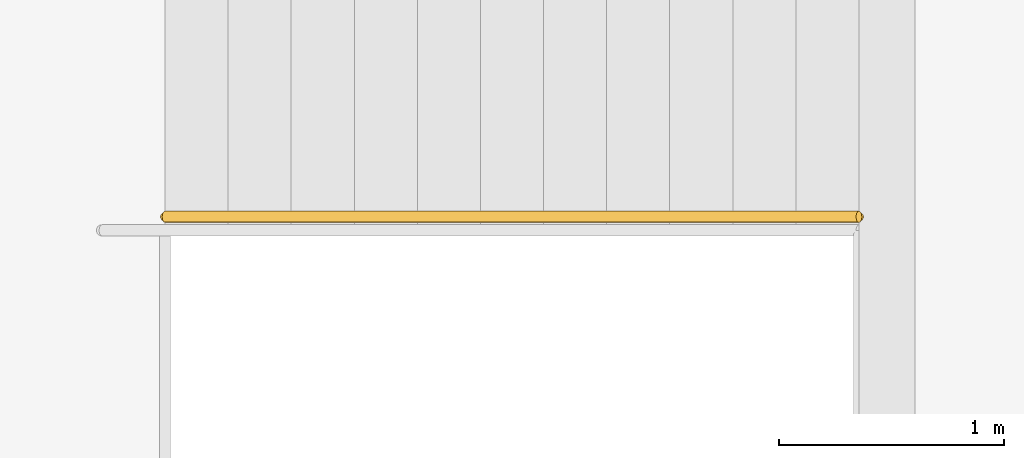
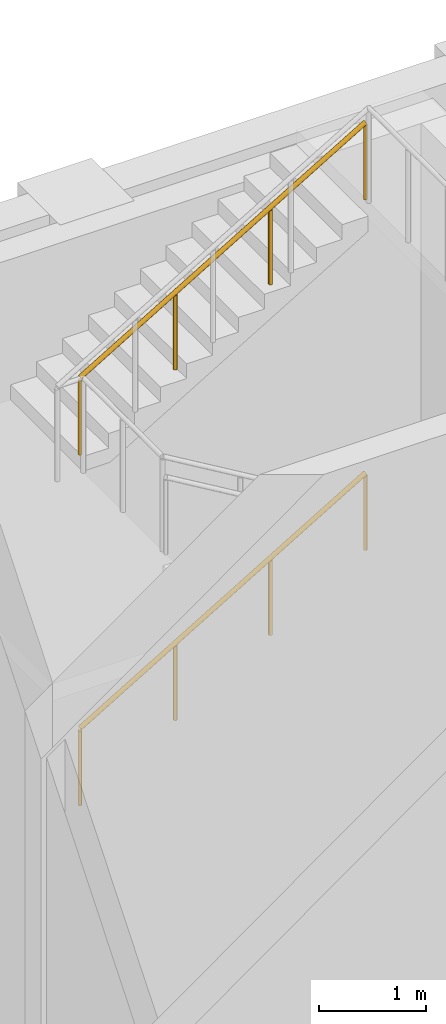
# One storey, part 17 of 17: 2 railings.
"""IFC4 building model written with IfcOpenShell, lengths in metres."""

import ifcopenshell
import ifcopenshell.guid

model = None  # the IFC model being written
_history = None  # IfcOwnerHistory: only IFC2X3 demands one
_inside = {}  # id of a spatial element -> (the spatial element, [elements in it])
_under = {}  # id of a project, library or spatial element -> (it, [spatial elements below it])
_declared = {}  # id of a project -> (the project, [libraries it declares])
_typed = {}  # id of a type object -> (the type object, [elements of that type])
_made_of = {}  # id of a material, layer set ... -> (it, [elements and type objects made of it])


def new_model(schema):
    """Start an empty IFC model of exactly this schema.

    Asked for "IFC4X3", IfcOpenShell would pick the latest addendum, in which some entities
    have other attributes; the version numbers below select the first issue.
    IFC2X3 requires an IfcOwnerHistory on every rooted entity: one is made here for all.
    """
    global model, _history
    if schema == "IFC4X3":
        model = ifcopenshell.file(schema_version=(4, 3, 0, 0))
    else:
        model = ifcopenshell.file(schema=schema)
    _inside.clear()
    _under.clear()
    _declared.clear()
    _typed.clear()
    _made_of.clear()
    _history = None
    if model.schema == "IFC2X3":
        org = make("IfcOrganization", Name="unknown")
        user = make(
            "IfcPersonAndOrganization",
            ThePerson=make("IfcPerson", FamilyName="unknown"),
            TheOrganization=org,
        )
        app = make(
            "IfcApplication",
            ApplicationDeveloper=org,
            Version="unknown",
            ApplicationFullName="unknown",
            ApplicationIdentifier="unknown",
        )
        _history = make(
            "IfcOwnerHistory",
            OwningUser=user,
            OwningApplication=app,
            ChangeAction="ADDED",
            CreationDate=0,
        )
    return model


def make(cls, **values):
    """One entity of the class cls with the attributes given. An attribute that is None is left unset."""
    return model.create_entity(
        cls, **{name: value for name, value in values.items() if value is not None}
    )


def rooted(cls, **values):
    """An entity with a GlobalId (a new one), such as an element, a storey or a relation."""
    return make(cls, GlobalId=ifcopenshell.guid.new(), OwnerHistory=_history, **values)


def si_unit(unit_type, name, prefix=None):
    """IfcSIUnit, for example si_unit("LENGTHUNIT", "METRE", prefix="MILLI")."""
    return make("IfcSIUnit", UnitType=unit_type, Prefix=prefix, Name=name)


def assignment(units):
    """IfcUnitAssignment: the units of a project."""
    return None if units is None else make("IfcUnitAssignment", Units=units)


def point(xyz):
    """IfcCartesianPoint."""
    return None if xyz is None else make("IfcCartesianPoint", Coordinates=xyz)


def direction(xyz):
    """IfcDirection."""
    return None if xyz is None else make("IfcDirection", DirectionRatios=xyz)


def frame(location, z_axis=None, x_axis=None):
    """IfcAxis2Placement3D, a coordinate frame: its origin and axes. An axis left out is left unset."""
    return make(
        "IfcAxis2Placement3D",
        Location=point(location),
        Axis=direction(z_axis),
        RefDirection=direction(x_axis),
    )


def frame_2d(location, x_axis=None):
    """IfcAxis2Placement2D, a coordinate frame in the plane: its origin and x axis."""
    return make(
        "IfcAxis2Placement2D", Location=point(location), RefDirection=direction(x_axis)
    )


def origin():
    """The frame at (0, 0, 0) with its axes left unset."""
    return frame((0.0, 0.0, 0.0))


def origin_2d():
    """The frame at (0, 0) in the plane with its x axis left unset."""
    return frame_2d((0.0, 0.0))


def place(relative_to, where):
    """IfcLocalPlacement: puts the frame where relative to a parent placement (None: the world)."""
    return make(
        "IfcLocalPlacement", PlacementRelTo=relative_to, RelativePlacement=where
    )


def context(
    kind, dimensions, precision=None, world=None, true_north=None, identifier=None
):
    """IfcGeometricRepresentationContext, for example the 3D "Model" context."""
    return make(
        "IfcGeometricRepresentationContext",
        ContextIdentifier=identifier,
        ContextType=kind,
        CoordinateSpaceDimension=dimensions,
        Precision=precision,
        WorldCoordinateSystem=world,
        TrueNorth=true_north,
    )


def subcontext(parent, identifier, kind, view, scale=None):
    """IfcGeometricRepresentationSubContext, for example "Body" below "Model"."""
    return make(
        "IfcGeometricRepresentationSubContext",
        ContextIdentifier=identifier,
        ContextType=kind,
        ParentContext=parent,
        TargetScale=scale,
        TargetView=view,
    )


def project(units=None, contexts=None):
    """IfcProject with its units and contexts."""
    return rooted(
        "IfcProject",
        Name="project",
        RepresentationContexts=contexts,
        UnitsInContext=assignment(units),
    )


def spatial(cls, under=None, at=None, **own):
    """A site, building, storey or space (cls), placed at a placement, below another one or the project."""
    s = rooted(cls, ObjectPlacement=at, **own)
    if under is not None:
        _under.setdefault(under.id(), (under, []))[1].append(s)
    return s


def profile(cls, at=None, kind="AREA", **sizes):
    """A parametric profile (cls). Its sizes go by their IFC names, for example OverallWidth=200.0."""
    return make(cls, ProfileType=kind, Position=at, **sizes)


def circle(**sizes):
    """IfcCircleProfileDef."""
    return profile("IfcCircleProfileDef", **sizes)


def extrude(swept, where, along, depth):
    """IfcExtrudedAreaSolid: the profile swept, set in the frame where, extruded along a direction by depth."""
    return make(
        "IfcExtrudedAreaSolid",
        SweptArea=swept,
        Position=where,
        ExtrudedDirection=direction(along),
        Depth=depth,
    )


def shape(context_of_items, identifier, shape_type, items):
    """IfcShapeRepresentation: the items that make up one representation, for example the "Body"."""
    return make(
        "IfcShapeRepresentation",
        ContextOfItems=context_of_items,
        RepresentationIdentifier=identifier,
        RepresentationType=shape_type,
        Items=items,
    )


def material(Name=None, Category=None):
    """IfcMaterial."""
    return make("IfcMaterial", Name=Name, Category=Category)


def made_of(thing, what):
    """Note that an element or type object is made of a material, layer set ...; save() writes the relation."""
    if what is not None:
        _made_of.setdefault(what.id(), (what, []))[1].append(thing)
    return thing


def type_object(cls, material=None, **own):
    """A type object (cls), such as IfcWallType, which elements share."""
    return made_of(rooted(cls, **own), material)


def element(
    cls,
    number,
    at=None,
    inside=None,
    cuts=None,
    type_object=None,
    material=None,
    context=None,
    identifier="Body",
    shape_type=None,
    held_by="IfcProductDefinitionShape",
    body=None,
    shapes=None,
    **own,
):
    """One element of the class cls, such as IfcWall. Its Tag is "e" and its number.

    at: its placement. inside: the storey or other place that contains it. cuts: it is an
    opening in that element (IfcRelVoidsElement). A single representation is given by context,
    identifier, shape_type and body (its items); several are given by shapes. held_by: the class
    of the entity that holds the representations. save() writes the other relations.
    """
    e = rooted(cls, Tag="e%d" % number, ObjectPlacement=at, **own)
    if body is not None:
        shapes = [shape(context, identifier, shape_type, body)]
    if shapes is not None:
        e.Representation = make(held_by, Representations=shapes)
    if inside is not None:
        _inside.setdefault(inside.id(), (inside, []))[1].append(e)
    if cuts is not None:
        rooted(
            "IfcRelVoidsElement", RelatingBuildingElement=cuts, RelatedOpeningElement=e
        )
    if type_object is not None:
        _typed.setdefault(type_object.id(), (type_object, []))[1].append(e)
    return made_of(e, material)


def aggregate(whole, parts):
    """IfcRelAggregates: a whole, such as a stair, and the parts it consists of."""
    return rooted("IfcRelAggregates", RelatingObject=whole, RelatedObjects=parts)


def save(model, path):
    """Write the relations noted so far, then the file.

    IfcRelAggregates (storeys below a building ...), IfcRelContainedInSpatialStructure (elements
    in a storey), IfcRelDefinesByType, IfcRelAssociatesMaterial and IfcRelDeclares: one each for
    every whole, place, type object, material and project.
    """
    for whole, parts in _under.values():
        aggregate(whole, parts)
    for where, things in _inside.values():
        rooted(
            "IfcRelContainedInSpatialStructure",
            RelatedElements=things,
            RelatingStructure=where,
        )
    for kind, things in _typed.values():
        rooted("IfcRelDefinesByType", RelatedObjects=things, RelatingType=kind)
    for what, things in _made_of.values():
        rooted("IfcRelAssociatesMaterial", RelatedObjects=things, RelatingMaterial=what)
    for by, libraries in _declared.values():
        rooted("IfcRelDeclares", RelatingContext=by, RelatedDefinitions=libraries)
    model.write(path)


model = new_model("IFC4")

# Units and contexts
model_context = context("Model", 3, precision=1e-05, world=origin(), true_north=direction((0.0, 1.0)))
body_context = subcontext(model_context, "Body", "Model", "MODEL_VIEW")
ifc_project = project(units=[si_unit("LENGTHUNIT", "METRE"), si_unit("AREAUNIT", "SQUARE_METRE"), si_unit("VOLUMEUNIT", "CUBIC_METRE"), si_unit("PLANEANGLEUNIT", "RADIAN"), si_unit("MASSUNIT", "GRAM", prefix="KILO")], contexts=[model_context])

# Site, building, storey
site_placement = place(None, origin())
site = spatial("IfcSite", under=ifc_project, at=site_placement, CompositionType="ELEMENT")
building_placement = place(site_placement, origin())
building = spatial("IfcBuilding", under=site, at=building_placement, Name="Firuza Court", CompositionType="ELEMENT")
storey_placement = place(building_placement, frame((0.0, 0.0, 258.199951171875)))
storey = spatial("IfcBuildingStorey", under=building, at=storey_placement, Name="L67", CompositionType="ELEMENT", Elevation=258.199951171875)

# Railings
ifc_material = material(Name="Steel S355", Category="steel")
railing_type = type_object("IfcRailingType", Name="Handrail 900", PredefinedType="HANDRAIL", material=ifc_material)
for number, where, name in (
    (1, (39.419921875, 56.550048828125, 2.166748046875), "Handrail S1 flight 2"),
    (2, (39.419921875, 56.550048828125, 6.166748046875), "Handrail S1 flight 4"),
):
    element("IfcRailing", number, at=place(storey_placement, frame(where)), inside=storey, type_object=railing_type, Name=name, PredefinedType="HANDRAIL", context=body_context, shape_type="SweptSolid", body=[
        extrude(circle(Radius=0.02490234375, at=origin_2d()), frame((0.0, 0.0, 0.875), z_axis=(0.859308565015, 0.0, 0.511457515432), x_axis=(0.0, 1.0, 0.0)), (0.0, 0.0, 1.0), 3.58447265625),
        extrude(circle(Radius=0.02001953125, at=origin_2d()), origin(), (0.0, 0.0, 1.0), 0.849853515625),
        extrude(circle(Radius=0.02001953125, at=origin_2d()), frame((1.026611328125, 0.0, 0.611083984375)), (0.0, 0.0, 1.0), 0.849853515625),
        extrude(circle(Radius=0.02001953125, at=origin_2d()), frame((2.053466796875, 0.0, 1.22216796875)), (0.0, 0.0, 1.0), 0.849853515625),
        extrude(circle(Radius=0.02001953125, at=origin_2d()), frame((3.080078125, 0.0, 1.833251953125)), (0.0, 0.0, 1.0), 0.849853515625),
    ])

save(model, "model.ifc")
